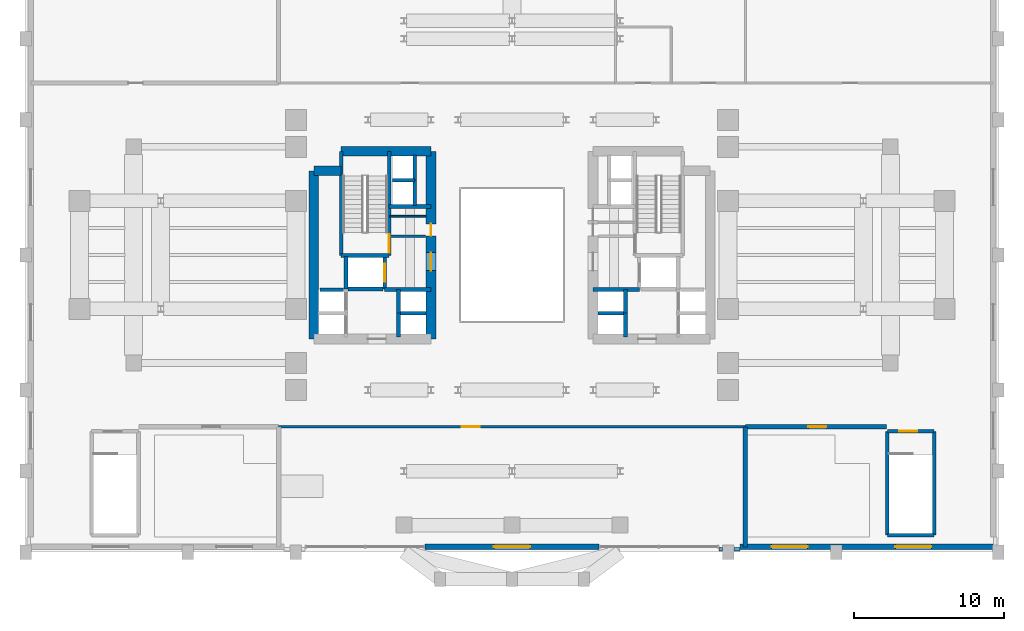
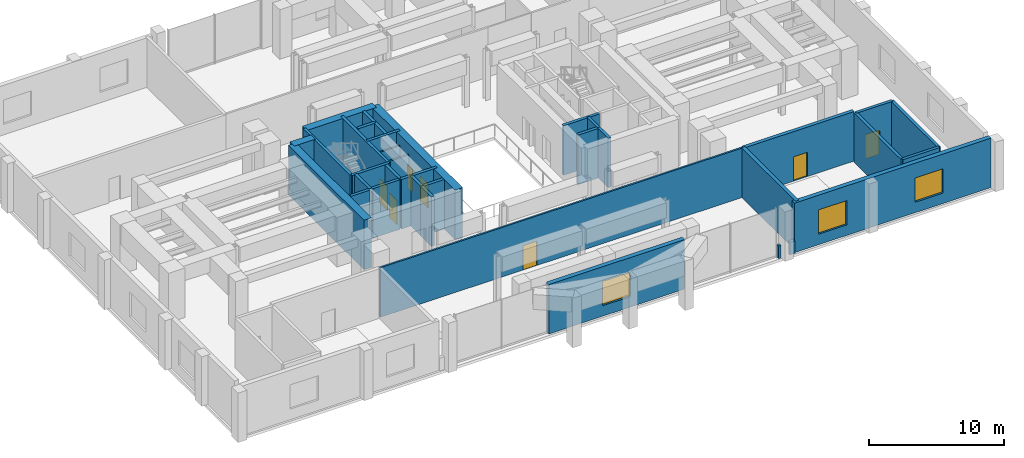
# One storey, part 9 of 13: 36 walls, 7 doors, 3 windows, 10 openings.
"""IFC4 building model written with IfcOpenShell, lengths in metres."""

from ifc_helpers import new_model, si_unit, direction, frame, frame_2d, origin, place, context, subcontext, project, spatial, rectangle, extrude, source, transform, mapped, material, layer, layer_set, type_object, element, fill, save


model = new_model("IFC4")

# Units and contexts
model_context = context("Model", 3, precision=1e-05, world=origin(), true_north=direction((0.0, 1.0)))
body_context = subcontext(model_context, "Body", "Model", "MODEL_VIEW")
ifc_project = project(units=[si_unit("LENGTHUNIT", "METRE"), si_unit("AREAUNIT", "SQUARE_METRE"), si_unit("VOLUMEUNIT", "CUBIC_METRE"), si_unit("PLANEANGLEUNIT", "RADIAN"), si_unit("MASSUNIT", "GRAM", prefix="KILO")], contexts=[model_context])

# Site, building, storey
site_placement = place(None, origin())
site = spatial("IfcSite", under=ifc_project, at=site_placement, CompositionType="ELEMENT")
building_placement = place(site_placement, origin())
building = spatial("IfcBuilding", under=site, at=building_placement, Name="Keilestroom Media Tower", CompositionType="ELEMENT")
storey_placement = place(building_placement, frame((0.0, 0.0, 20.39990234375)))
storey = spatial("IfcBuildingStorey", under=building, at=storey_placement, Name="L04", CompositionType="ELEMENT", Elevation=20.39990234375)

# Wall, opening, door
ifc_material_1 = material(Name="Concrete C45/55", Category="concrete")
ifc_layer_1 = layer(ifc_material_1, 0.300048828125)
ifc_layer_set_1 = layer_set([ifc_layer_1], Name="Concrete C45/55")
wall_type_1 = type_object("IfcWallType", Name="Acoustic-Studio-Isolation-Wall-300", PredefinedType="SOLIDWALL", material=ifc_layer_set_1)
wall_1_placement = place(storey_placement, frame((15.550048828125, -11.449951171875, 0.0), z_axis=(0.0, 0.0, 1.0), x_axis=(1.0, 0.0, 0.0)))
wall_1 = element("IfcWall", 1, at=wall_1_placement, inside=storey, type_object=wall_type_1, Name="L04 Interior Wall WP-L04-STD-SE-N", PredefinedType="SOLIDWALL", context=body_context, shape_type="SweptSolid", body=[
    extrude(rectangle(XDim=9.409912109375, YDim=0.300048828125, at=frame_2d((4.705078125, 0.0))), origin(), (0.0, 0.0, 1.0), 4.47998046875),
])
opening_1_placement = place(wall_1_placement, frame((4.199951171875, 0.0, 0.0)))
opening_1 = element("IfcOpeningElement", 2, at=opening_1_placement, cuts=wall_1, Name="Opening DI-02", PredefinedType="OPENING", context=body_context, shape_type="SweptSolid", body=[
    extrude(rectangle(XDim=1.199951171875, YDim=2.199951171875, at=frame_2d((0.60009765625, 1.10009765625))), frame((0.0, 0.16015625, 0.0), z_axis=(0.0, -1.0, 0.0), x_axis=(1.0, 0.0, 0.0)), (0.0, 0.0, 1.0), 0.320068359375),
])
ifc_material_2 = material(Name="Powder-Coated Steel Fire Leaf", Category="steel")
door_type_1 = type_object("IfcDoorType", Name="Interior-Compartment-Fire-Door-DI-02", OperationType="NOTDEFINED", PredefinedType="DOOR", material=ifc_material_2)
shared_shape_1 = source(origin(), body_context, "Body", "SweptSolid", [
    extrude(rectangle(XDim=1.199951171875, YDim=2.199951171875, at=frame_2d((0.60009765625, 1.10009765625))), frame((0.0, 0.02490234375, 0.0), z_axis=(0.0, -1.0, 0.0), x_axis=(1.0, 0.0, 0.0)), (0.0, 0.0, 1.0), 0.050048828125),
])
door_1_placement = place(opening_1_placement, origin())
door_1 = element("IfcDoor", 3, at=door_1_placement, inside=storey, type_object=door_type_1, Name="L04 Interior Door DI-L04-STD-SE-D", OperationType="SINGLE_SWING_RIGHT", OverallHeight=2.199951171875, OverallWidth=1.199951171875, PredefinedType="DOOR", context=body_context, shape_type="MappedRepresentation", body=[
    mapped(shared_shape_1, transform((0.0, 0.0, 0.0), x_axis=(1.0, 0.0, 0.0), y_axis=(0.0, 1.0, 0.0), z_axis=(0.0, 0.0, 1.0), scale=1.0)),
])
fill(opening_1, door_1)

# Wall
wall_2_placement = place(storey_placement, frame((15.550048828125, -19.449951171875, 0.0), z_axis=(0.0, 0.0, 1.0), x_axis=(0.0, 1.0, 0.0)))
element("IfcWall", 4, at=wall_2_placement, inside=storey, type_object=wall_type_1, Name="L04 Interior Wall WP-L04-STD-SE-W", PredefinedType="SOLIDWALL", context=body_context, shape_type="SweptSolid", body=[
    extrude(rectangle(XDim=8.0, YDim=0.300048828125, at=frame_2d((4.0, 0.0))), origin(), (0.0, 0.0, 1.0), 4.47998046875),
])

# Wall, openings, windows
ifc_material_3 = material(Name="Precast concrete C40/50", Category="concrete")
ifc_layer_2 = layer(ifc_material_3, 0.3798828125)
ifc_layer_set_2 = layer_set([ifc_layer_2], Name="Precast concrete C40/50")
wall_type_2 = type_object("IfcWallType", Name="Exterior-Masonry-Spandrel-Wall-380", PredefinedType="SOLIDWALL", material=ifc_layer_set_2)
wall_3_placement = place(storey_placement, frame((15.199951171875, -19.449951171875, 0.0), z_axis=(0.0, 0.0, 1.0), x_axis=(1.0, 0.0, 0.0)))
wall_3 = element("IfcWall", 5, at=wall_3_placement, inside=storey, type_object=wall_type_2, Name="L04 Podium Precast Masonry Wall EWL-L04-S-E", PredefinedType="SOLIDWALL", context=body_context, shape_type="SweptSolid", body=[
    extrude(rectangle(XDim=16.85009765625, YDim=0.3798828125, at=frame_2d((8.425048828125, 0.0))), origin(), (0.0, 0.0, 1.0), 4.47998046875),
])
opening_2_placement = place(wall_3_placement, frame((2.087890625, 0.0, 0.949951171875)))
opening_2 = element("IfcOpeningElement", 6, at=opening_2_placement, cuts=wall_3, Name="Opening WN-02", PredefinedType="OPENING", context=body_context, shape_type="SweptSolid", body=[
    extrude(rectangle(XDim=2.39990234375, YDim=2.199951171875, at=frame_2d((1.199951171875, 1.10009765625))), frame((0.0, 0.199951171875, 0.0), z_axis=(0.0, -1.0, 0.0), x_axis=(1.0, 0.0, 0.0)), (0.0, 0.0, 1.0), 0.39990234375),
])
opening_3_placement = place(wall_3_placement, frame((10.337890625, 0.0, 0.949951171875)))
opening_3 = element("IfcOpeningElement", 7, at=opening_3_placement, cuts=wall_3, Name="Opening WN-02", PredefinedType="OPENING", context=body_context, shape_type="SweptSolid", body=[
    extrude(rectangle(XDim=2.39990234375, YDim=2.199951171875, at=frame_2d((1.199951171875, 1.10009765625))), frame((0.0, 0.199951171875, 0.0), z_axis=(0.0, -1.0, 0.0), x_axis=(1.0, 0.0, 0.0)), (0.0, 0.0, 1.0), 0.39990234375),
])
ifc_material_4 = material(Name="Triple Glazed Low-E Window Unit", Category="glass")
window_type = type_object("IfcWindowType", Name="Recessed-Punched-Window-WN-02", PartitioningType="DOUBLE_PANEL_VERTICAL", PredefinedType="WINDOW", material=ifc_material_4)
shared_shape_2 = source(origin(), body_context, "Body", "SweptSolid", [
    extrude(rectangle(XDim=2.39990234375, YDim=2.199951171875, at=frame_2d((1.199951171875, 1.10009765625))), frame((0.0, 0.030029296875, 0.0), z_axis=(0.0, -1.0, 0.0), x_axis=(1.0, 0.0, 0.0)), (0.0, 0.0, 1.0), 0.06005859375),
])
window_1_placement = place(opening_2_placement, origin())
window_1 = element("IfcWindow", 8, at=window_1_placement, inside=storey, type_object=window_type, Name="L04 Window WN-02 EWL-L04-S-E-1", OverallHeight=2.199951171875, OverallWidth=2.39990234375, PartitioningType="SINGLE_PANEL", PredefinedType="WINDOW", context=body_context, shape_type="MappedRepresentation", body=[
    mapped(shared_shape_2, transform((0.0, 0.0, 0.0), x_axis=(1.0, 0.0, 0.0), y_axis=(0.0, 1.0, 0.0), z_axis=(0.0, 0.0, 1.0), scale=1.0)),
])
fill(opening_2, window_1)
window_2_placement = place(opening_3_placement, origin())
window_2 = element("IfcWindow", 9, at=window_2_placement, inside=storey, type_object=window_type, Name="L04 Window WN-02 EWL-L04-S-E-2", OverallHeight=2.199951171875, OverallWidth=2.39990234375, PartitioningType="SINGLE_PANEL", PredefinedType="WINDOW", context=body_context, shape_type="MappedRepresentation", body=[
    mapped(shared_shape_2, transform((0.0, 0.0, 0.0), x_axis=(1.0, 0.0, 0.0), y_axis=(0.0, 1.0, 0.0), z_axis=(0.0, 0.0, 1.0), scale=1.0)),
])
fill(opening_3, window_2)

# Wall, opening, window
wall_4_placement = place(storey_placement, frame((-5.804931640625, -19.449951171875, 0.0), z_axis=(0.0, 0.0, 1.0), x_axis=(1.0, 0.0, 0.0)))
wall_4 = element("IfcWall", 10, at=wall_4_placement, inside=storey, type_object=wall_type_2, Name="L04 Podium Precast Masonry Wall EWL-L04-S-C-1", PredefinedType="SOLIDWALL", context=body_context, shape_type="SweptSolid", body=[
    extrude(rectangle(XDim=11.60986328125, YDim=0.3798828125, at=frame_2d((5.804931640625, 0.0))), origin(), (0.0, 0.0, 1.0), 4.47998046875),
])
opening_4_placement = place(wall_4_placement, frame((4.60498046875, 0.0, 0.949951171875)))
opening_4 = element("IfcOpeningElement", 11, at=opening_4_placement, cuts=wall_4, Name="Opening WN-02", PredefinedType="OPENING", context=body_context, shape_type="SweptSolid", body=[
    extrude(rectangle(XDim=2.39990234375, YDim=2.199951171875, at=frame_2d((1.199951171875, 1.10009765625))), frame((0.0, 0.199951171875, 0.0), z_axis=(0.0, -1.0, 0.0), x_axis=(1.0, 0.0, 0.0)), (0.0, 0.0, 1.0), 0.39990234375),
])
window_3_placement = place(opening_4_placement, origin())
window_3 = element("IfcWindow", 12, at=window_3_placement, inside=storey, type_object=window_type, Name="L04 Window WN-02 EWL-L04-S-C-1-1", OverallHeight=2.199951171875, OverallWidth=2.39990234375, PartitioningType="SINGLE_PANEL", PredefinedType="WINDOW", context=body_context, shape_type="MappedRepresentation", body=[
    mapped(shared_shape_2, transform((0.0, 0.0, 0.0), x_axis=(1.0, 0.0, 0.0), y_axis=(0.0, 1.0, 0.0), z_axis=(0.0, 0.0, 1.0), scale=1.0)),
])
fill(opening_4, window_3)

# Walls
ifc_material_5 = material(Name="Gypsum Plasterboard & Steel Stud", Category="steel")
ifc_layer_3 = layer(ifc_material_5, 0.1201171875)
ifc_layer_set_3 = layer_set([ifc_layer_3], Name="Gypsum Plasterboard & Steel Stud")
wall_type_3 = type_object("IfcWallType", Name="Interior-Partition-Wall-120", PredefinedType="PARTITIONING", material=ifc_layer_set_3)
wall_5_placement = place(storey_placement, frame((-8.139892578125, 2.580078125, 0.0), z_axis=(0.0, 0.0, 1.0), x_axis=(1.0, 0.0, 0.0)))
element("IfcWall", 13, at=wall_5_placement, inside=storey, type_object=wall_type_3, Name="L04 Interior Wall WP-L04-CNW-N", PredefinedType="PARTITIONING", context=body_context, shape_type="SweptSolid", body=[
    extrude(rectangle(XDim=2.389892578125, YDim=0.1201171875, at=frame_2d((1.19482421875, 0.0))), origin(), (0.0, 0.0, 1.0), 3.580078125),
])
ifc_layer_4 = layer(ifc_material_5, 0.14990234375)
ifc_layer_set_4 = layer_set([ifc_layer_4], Name="Gypsum Plasterboard & Steel Stud")
wall_type_4 = type_object("IfcWallType", Name="Interior-Partition-Wall-150", PredefinedType="PARTITIONING", material=ifc_layer_set_4)
wall_6_placement = place(storey_placement, frame((-8.139892578125, 1.239990234375, 0.0), z_axis=(0.0, 0.0, 1.0), x_axis=(1.0, 0.0, 0.0)))
element("IfcWall", 14, at=wall_6_placement, inside=storey, type_object=wall_type_4, Name="L04 Interior Wall WP-L04-FFW-TOP", PredefinedType="PARTITIONING", context=body_context, shape_type="SweptSolid", body=[
    extrude(rectangle(XDim=2.389892578125, YDim=0.14990234375, at=frame_2d((1.19482421875, 0.0))), origin(), (0.0, 0.0, 1.0), 3.580078125),
])

# Wall, opening, door
wall_7_placement = place(storey_placement, frame((-15.550048828125, -11.449951171875, 0.0), z_axis=(0.0, 0.0, 1.0), x_axis=(1.0, 0.0, 0.0)))
wall_7 = element("IfcWall", 15, at=wall_7_placement, inside=storey, type_object=wall_type_4, Name="L04 Interior Wall WP-L04-ARCH-S-N", PredefinedType="PARTITIONING", context=body_context, shape_type="SweptSolid", body=[
    extrude(rectangle(XDim=31.10009765625, YDim=0.14990234375, at=frame_2d((15.550048828125, 0.0))), origin(), (0.0, 0.0, 1.0), 4.47998046875),
])
opening_5_placement = place(wall_7_placement, frame((12.199951171875, 0.0, 0.0)))
opening_5 = element("IfcOpeningElement", 16, at=opening_5_placement, cuts=wall_7, Name="Opening DI-02", PredefinedType="OPENING", context=body_context, shape_type="SweptSolid", body=[
    extrude(rectangle(XDim=1.199951171875, YDim=2.199951171875, at=frame_2d((0.60009765625, 1.10009765625))), frame((0.0, 0.0849609375, 0.0), z_axis=(0.0, -1.0, 0.0), x_axis=(1.0, 0.0, 0.0)), (0.0, 0.0, 1.0), 0.169921875),
])
door_2_placement = place(opening_5_placement, origin())
door_2 = element("IfcDoor", 17, at=door_2_placement, inside=storey, type_object=door_type_1, Name="L04 Interior Door DI-L04-ARCH-S-D", OperationType="SINGLE_SWING_LEFT", OverallHeight=2.199951171875, OverallWidth=1.199951171875, PredefinedType="DOOR", context=body_context, shape_type="MappedRepresentation", body=[
    mapped(shared_shape_1, transform((0.0, 0.0, 0.0), x_axis=(1.0, 0.0, 0.0), y_axis=(0.0, 1.0, 0.0), z_axis=(0.0, 0.0, 1.0), scale=1.0)),
])
fill(opening_5, door_2)

# Wall
ifc_material_6 = material(Name="Concrete C70/85", Category="concrete")
ifc_layer_5 = layer(ifc_material_6, 0.64990234375)
ifc_layer_set_5 = layer_set([ifc_layer_5], Name="Concrete C70/85")
wall_type_5 = type_object("IfcWallType", Name="Reinforced-Concrete-Core-Shear-Wall-650", PredefinedType="SHEAR", material=ifc_layer_set_5)
wall_8_placement = place(storey_placement, frame((-13.199951171875, -5.60009765625, 0.0), z_axis=(0.0, 0.0, 1.0), x_axis=(0.0, 1.0, 0.0)))
element("IfcWall", 18, at=wall_8_placement, inside=storey, type_object=wall_type_5, Name="L04 Core Shear Wall WL-L04-CORE-W-OUT", PredefinedType="SHEAR", context=body_context, shape_type="SweptSolid", body=[
    extrude(rectangle(XDim=11.2001953125, YDim=0.64990234375, at=frame_2d((5.60009765625, 0.0))), origin(), (0.0, 0.0, 1.0), 4.47998046875),
])

# Wall, openings, doors
wall_9_placement = place(storey_placement, frame((-5.39990234375, -5.60009765625, 0.0), z_axis=(0.0, 0.0, 1.0), x_axis=(0.0, 1.0, 0.0)))
wall_9 = element("IfcWall", 19, at=wall_9_placement, inside=storey, type_object=wall_type_5, Name="L04 Core Shear Wall WL-L04-CORE-W-IN", PredefinedType="SHEAR", context=body_context, shape_type="SweptSolid", body=[
    extrude(rectangle(XDim=12.5, YDim=0.64990234375, at=frame_2d((6.25, 0.0))), origin(), (0.0, 0.0, 1.0), 4.47998046875),
])
opening_6_placement = place(wall_9_placement, frame((4.550048828125, 0.0, 0.0)))
opening_6 = element("IfcOpeningElement", 20, at=opening_6_placement, cuts=wall_9, Name="Opening DI-02", PredefinedType="OPENING", context=body_context, shape_type="SweptSolid", body=[
    extrude(rectangle(XDim=1.199951171875, YDim=2.199951171875, at=frame_2d((0.60009765625, 1.10009765625))), frame((0.0, 0.3349609375, 0.0), z_axis=(0.0, -1.0, 0.0), x_axis=(1.0, 0.0, 0.0)), (0.0, 0.0, 1.0), 0.669921875),
])
opening_7_placement = place(wall_9_placement, frame((6.860107421875, 0.0, 0.0)))
opening_7 = element("IfcOpeningElement", 21, at=opening_7_placement, cuts=wall_9, Name="Opening DI-06", PredefinedType="OPENING", context=body_context, shape_type="SweptSolid", body=[
    extrude(rectangle(XDim=0.800048828125, YDim=2.10009765625, at=frame_2d((0.39990234375, 1.050048828125))), frame((0.0, 0.3349609375, 0.0), z_axis=(0.0, -1.0, 0.0), x_axis=(1.0, 0.0, 0.0)), (0.0, 0.0, 1.0), 0.669921875),
])
door_3_placement = place(opening_6_placement, origin())
door_3 = element("IfcDoor", 22, at=door_3_placement, inside=storey, type_object=door_type_1, Name="L04 W Firefighting Lobby Door", OperationType="SINGLE_SWING_RIGHT", OverallHeight=2.199951171875, OverallWidth=1.199951171875, PredefinedType="DOOR", context=body_context, shape_type="MappedRepresentation", body=[
    mapped(shared_shape_1, transform((0.0, 0.0, 0.0), x_axis=(1.0, 0.0, 0.0), y_axis=(0.0, 1.0, 0.0), z_axis=(0.0, 0.0, 1.0), scale=1.0)),
])
fill(opening_6, door_3)
ifc_material_7 = material(Name="Powder-Coated Steel Service Leaf", Category="steel")
door_type_2 = type_object("IfcDoorType", Name="Interior-Riser-Access-Door-DI-06", OperationType="NOTDEFINED", PredefinedType="DOOR", material=ifc_material_7)
shared_shape_3 = source(origin(), body_context, "Body", "SweptSolid", [
    extrude(rectangle(XDim=0.800048828125, YDim=2.10009765625, at=frame_2d((0.39990234375, 1.050048828125))), frame((0.0, 0.02490234375, 0.0), z_axis=(0.0, -1.0, 0.0), x_axis=(1.0, 0.0, 0.0)), (0.0, 0.0, 1.0), 0.050048828125),
])
door_4_placement = place(opening_7_placement, origin())
door_4 = element("IfcDoor", 23, at=door_4_placement, inside=storey, type_object=door_type_2, Name="L04 West Core Switchroom Door", OperationType="SINGLE_SWING_LEFT", OverallHeight=2.10009765625, OverallWidth=0.800048828125, PredefinedType="DOOR", context=body_context, shape_type="MappedRepresentation", body=[
    mapped(shared_shape_3, transform((0.0, 0.0, 0.0), x_axis=(1.0, 0.0, 0.0), y_axis=(0.0, 1.0, 0.0), z_axis=(0.0, 0.0, 1.0), scale=1.0)),
])
fill(opening_7, door_4)

# Walls
wall_10_placement = place(storey_placement, frame((-11.381103515625, 6.89990234375, 0.0), z_axis=(0.0, 0.0, 1.0), x_axis=(1.0, 0.0, 0.0)))
element("IfcWall", 24, at=wall_10_placement, inside=storey, type_object=wall_type_5, Name="L04 Core Shear Wall WL-L04-CORE-W-N", PredefinedType="SHEAR", context=body_context, shape_type="SweptSolid", body=[
    extrude(rectangle(XDim=5.981201171875, YDim=0.64990234375, at=frame_2d((2.99072265625, 0.0))), origin(), (0.0, 0.0, 1.0), 4.47998046875),
])
wall_11_placement = place(storey_placement, frame((-13.199951171875, 5.60009765625, 0.0), z_axis=(0.0, 0.0, 1.0), x_axis=(1.0, 0.0, 0.0)))
element("IfcWall", 25, at=wall_11_placement, inside=storey, type_object=wall_type_5, Name="L04 Core Shear Wall WL-L04-CNW-N", PredefinedType="SHEAR", context=body_context, shape_type="SweptSolid", body=[
    extrude(rectangle(XDim=1.81884765625, YDim=0.64990234375, at=frame_2d((0.909423828125, 0.0))), origin(), (0.0, 0.0, 1.0), 4.47998046875),
])
ifc_material_8 = material(Name="Concrete C50/60", Category="concrete")
ifc_layer_6 = layer(ifc_material_8, 0.25)
ifc_layer_set_6 = layer_set([ifc_layer_6], Name="Concrete C50/60")
wall_type_6 = type_object("IfcWallType", Name="Reinforced-Concrete-Shaft-Wall-250", PredefinedType="SOLIDWALL", material=ifc_layer_set_6)
wall_12_placement = place(storey_placement, frame((-8.179931640625, 3.219970703125, 0.0), z_axis=(0.0, 0.0, 1.0), x_axis=(1.0, 0.0, 0.0)))
element("IfcWall", 26, at=wall_12_placement, inside=storey, type_object=wall_type_6, Name="L04 Core Shear Wall WL-L04-CORE-W-FFN", PredefinedType="SOLIDWALL", context=body_context, shape_type="SweptSolid", body=[
    extrude(rectangle(XDim=2.780029296875, YDim=0.25, at=frame_2d((1.39013671875, 0.0))), origin(), (0.0, 0.0, 1.0), 4.47998046875),
])
wall_13_placement = place(storey_placement, frame((-8.47998046875, -2.300048828125, 0.0), z_axis=(0.0, 0.0, 1.0), x_axis=(1.0, 0.0, 0.0)))
element("IfcWall", 27, at=wall_13_placement, inside=storey, type_object=wall_type_6, Name="L04 Core Shear Wall WL-L04-CORE-W-FFS", PredefinedType="SOLIDWALL", context=body_context, shape_type="SweptSolid", body=[
    extrude(rectangle(XDim=3.080078125, YDim=0.25, at=frame_2d((1.5400390625, 0.0))), origin(), (0.0, 0.0, 1.0), 4.47998046875),
])

# Wall, opening, door
wall_14_placement = place(storey_placement, frame((-8.178955078125, -0.041015625, 0.0), z_axis=(0.0, 0.0, 1.0), x_axis=(0.0, 1.0, 0.0)))
wall_14 = element("IfcWall", 28, at=wall_14_placement, inside=storey, type_object=wall_type_6, Name="L04 Core Shear Wall WL-L04-STW-W-NEAR", PredefinedType="SOLIDWALL", context=body_context, shape_type="SweptSolid", body=[
    extrude(rectangle(XDim=6.94091796875, YDim=0.25, at=frame_2d((3.470458984375, 0.0))), origin(), (0.0, 0.0, 1.0), 4.47998046875),
])
opening_8_placement = place(wall_14_placement, frame((0.199951171875, 0.0, 0.0)))
opening_8 = element("IfcOpeningElement", 29, at=opening_8_placement, cuts=wall_14, Name="Opening DI-01S", PredefinedType="OPENING", context=body_context, shape_type="SweptSolid", body=[
    extrude(rectangle(XDim=1.199951171875, YDim=2.199951171875, at=frame_2d((0.60009765625, 1.10009765625))), frame((0.0, 0.135009765625, 0.0), z_axis=(0.0, -1.0, 0.0), x_axis=(1.0, 0.0, 0.0)), (0.0, 0.0, 1.0), 0.27001953125),
])
door_type_3 = type_object("IfcDoorType", Name="Interior-Stair-And-Core-Fire-Door-DI-01", OperationType="NOTDEFINED", PredefinedType="DOOR", material=ifc_material_2)
door_5_placement = place(opening_8_placement, origin())
door_5 = element("IfcDoor", 30, at=door_5_placement, inside=storey, type_object=door_type_3, Name="L04 Escape Stair ST-1 Fire Door", OperationType="SINGLE_SWING_LEFT", OverallHeight=2.199951171875, OverallWidth=1.199951171875, PredefinedType="DOOR", context=body_context, shape_type="MappedRepresentation", body=[
    mapped(shared_shape_1, transform((0.0, 0.0, 0.0), x_axis=(1.0, 0.0, 0.0), y_axis=(0.0, 1.0, 0.0), z_axis=(0.0, 0.0, 1.0), scale=1.0)),
])
fill(opening_8, door_5)

# Walls
wall_15_placement = place(storey_placement, frame((-11.381103515625, -0.041015625, 0.0), z_axis=(0.0, 0.0, 1.0), x_axis=(0.0, 1.0, 0.0)))
element("IfcWall", 31, at=wall_15_placement, inside=storey, type_object=wall_type_6, Name="L04 Core Shear Wall WL-L04-STW-W-FAR", PredefinedType="SOLIDWALL", context=body_context, shape_type="SweptSolid", body=[
    extrude(rectangle(XDim=6.94091796875, YDim=0.25, at=frame_2d((3.470458984375, 0.0))), origin(), (0.0, 0.0, 1.0), 4.47998046875),
])
wall_16_placement = place(storey_placement, frame((-11.381103515625, -0.041015625, 0.0), z_axis=(0.0, 0.0, 1.0), x_axis=(1.0, 0.0, 0.0)))
element("IfcWall", 32, at=wall_16_placement, inside=storey, type_object=wall_type_6, Name="L04 Core Shear Wall WL-L04-STW-W-S", PredefinedType="SOLIDWALL", context=body_context, shape_type="SweptSolid", body=[
    extrude(rectangle(XDim=3.2021484375, YDim=0.25, at=frame_2d((1.60107421875, 0.0))), origin(), (0.0, 0.0, 1.0), 4.47998046875),
])
wall_17_placement = place(storey_placement, frame((5.39990234375, -2.300048828125, 0.0), z_axis=(0.0, 0.0, 1.0), x_axis=(1.0, 0.0, 0.0)))
element("IfcWall", 33, at=wall_17_placement, inside=storey, type_object=wall_type_6, Name="L04 Core Shear Wall WL-L04-CORE-E-FFS", PredefinedType="SOLIDWALL", context=body_context, shape_type="SweptSolid", body=[
    extrude(rectangle(XDim=3.080078125, YDim=0.25, at=frame_2d((1.5400390625, 0.0))), origin(), (0.0, 0.0, 1.0), 4.47998046875),
])
for number, where, z_axis, x_axis, name in (
    (34, (24.9990234375, -18.6708984375, 0.0), (0.0, 0.0, 1.0), (0.0, 1.0, 0.0), "L04 Core Shear Wall WL-L04-ST-4-W"),
    (35, (28.12109375, -18.6708984375, 0.0), (0.0, 0.0, 1.0), (0.0, 1.0, 0.0), "L04 Core Shear Wall WL-L04-ST-4-E"),
):
    element("IfcWall", number, at=place(storey_placement, frame(where, z_axis=z_axis, x_axis=x_axis)), inside=storey, type_object=wall_type_6, Name=name, PredefinedType="SOLIDWALL", context=body_context, shape_type="SweptSolid", body=[
        extrude(rectangle(XDim=6.921875, YDim=0.25, at=frame_2d((3.4609375, 0.0))), origin(), (0.0, 0.0, 1.0), 4.47998046875),
    ])
wall_18_placement = place(storey_placement, frame((24.9990234375, -18.6708984375, 0.0), z_axis=(0.0, 0.0, 1.0), x_axis=(1.0, 0.0, 0.0)))
element("IfcWall", 36, at=wall_18_placement, inside=storey, type_object=wall_type_6, Name="L04 Core Shear Wall WL-L04-ST-4-S", PredefinedType="SOLIDWALL", context=body_context, shape_type="SweptSolid", body=[
    extrude(rectangle(XDim=3.1220703125, YDim=0.25, at=frame_2d((1.56103515625, 0.0))), origin(), (0.0, 0.0, 1.0), 4.47998046875),
])

# Wall, opening, door
wall_19_placement = place(storey_placement, frame((24.9990234375, -11.7490234375, 0.0), z_axis=(0.0, 0.0, 1.0), x_axis=(1.0, 0.0, 0.0)))
wall_19 = element("IfcWall", 37, at=wall_19_placement, inside=storey, type_object=wall_type_6, Name="L04 Core Shear Wall WL-L04-ST-4-N", PredefinedType="SOLIDWALL", context=body_context, shape_type="SweptSolid", body=[
    extrude(rectangle(XDim=3.1220703125, YDim=0.25, at=frame_2d((1.56103515625, 0.0))), origin(), (0.0, 0.0, 1.0), 4.47998046875),
])
opening_9_placement = place(wall_19_placement, frame((0.800048828125, 0.0, 0.0)))
opening_9 = element("IfcOpeningElement", 38, at=opening_9_placement, cuts=wall_19, Name="Opening DI-01S", PredefinedType="OPENING", context=body_context, shape_type="SweptSolid", body=[
    extrude(rectangle(XDim=1.199951171875, YDim=2.199951171875, at=frame_2d((0.60009765625, 1.10009765625))), frame((0.0, 0.135009765625, 0.0), z_axis=(0.0, -1.0, 0.0), x_axis=(1.0, 0.0, 0.0)), (0.0, 0.0, 1.0), 0.27001953125),
])
door_6_placement = place(opening_9_placement, origin())
door_6 = element("IfcDoor", 39, at=door_6_placement, inside=storey, type_object=door_type_3, Name="L04 Podium Stair ST-4 Fire Door", OperationType="SINGLE_SWING_LEFT", OverallHeight=2.199951171875, OverallWidth=1.199951171875, PredefinedType="DOOR", context=body_context, shape_type="MappedRepresentation", body=[
    mapped(shared_shape_1, transform((0.0, 0.0, 0.0), x_axis=(1.0, 0.0, 0.0), y_axis=(0.0, 1.0, 0.0), z_axis=(0.0, 0.0, 1.0), scale=1.0)),
])
fill(opening_9, door_6)

# Wall
wall_20_placement = place(storey_placement, frame((-11.050048828125, -2.280029296875, 0.0), z_axis=(0.0, 0.0, 1.0), x_axis=(0.0, 1.0, 0.0)))
element("IfcWall", 40, at=wall_20_placement, inside=storey, type_object=wall_type_6, Name="L04 Core Shear Wall WL-L04-LSH-FFL-1-W", PredefinedType="SOLIDWALL", context=body_context, shape_type="SweptSolid", body=[
    extrude(rectangle(XDim=2.179931640625, YDim=0.25, at=frame_2d((1.08984375, 0.0))), origin(), (0.0, 0.0, 1.0), 4.47998046875),
])

# Wall, opening, door
wall_21_placement = place(storey_placement, frame((-8.47998046875, -2.280029296875, 0.0), z_axis=(0.0, 0.0, 1.0), x_axis=(0.0, 1.0, 0.0)))
wall_21 = element("IfcWall", 41, at=wall_21_placement, inside=storey, type_object=wall_type_6, Name="L04 Core Shear Wall WL-L04-LSH-FFL-1-E", PredefinedType="SOLIDWALL", context=body_context, shape_type="SweptSolid", body=[
    extrude(rectangle(XDim=2.179931640625, YDim=0.25, at=frame_2d((1.08984375, 0.0))), origin(), (0.0, 0.0, 1.0), 4.47998046875),
])
opening_10_placement = place(wall_21_placement, frame((0.489990234375, 0.0, 0.0)))
opening_10 = element("IfcOpeningElement", 42, at=opening_10_placement, cuts=wall_21, Name="Opening LD-02", PredefinedType="OPENING", context=body_context, shape_type="SweptSolid", body=[
    extrude(rectangle(XDim=1.199951171875, YDim=2.199951171875, at=frame_2d((0.60009765625, 1.10009765625))), frame((0.0, 0.135009765625, 0.0), z_axis=(0.0, -1.0, 0.0), x_axis=(1.0, 0.0, 0.0)), (0.0, 0.0, 1.0), 0.27001953125),
])
ifc_material_9 = material(Name="Brushed Stainless Steel Sliding Leaf", Category="steel")
door_type_4 = type_object("IfcDoorType", Name="Lift-Landing-Sliding-Door-LD-02", OperationType="SLIDING_TO_RIGHT", PredefinedType="DOOR", material=ifc_material_9)
door_7_placement = place(opening_10_placement, origin())
door_7 = element("IfcDoor", 43, at=door_7_placement, inside=storey, type_object=door_type_4, Name="L04 Lift FFL-1 Landing Sliding Door", OperationType="SLIDING_TO_RIGHT", OverallHeight=2.199951171875, OverallWidth=1.199951171875, PredefinedType="DOOR", context=body_context, shape_type="MappedRepresentation", body=[
    mapped(shared_shape_1, transform((0.0, 0.0, 0.0), x_axis=(1.0, 0.0, 0.0), y_axis=(0.0, 1.0, 0.0), z_axis=(0.0, 0.0, 1.0), scale=1.0)),
])
fill(opening_10, door_7)

# Walls
wall_22_placement = place(storey_placement, frame((-10.9208984375, -2.280029296875, 0.0), z_axis=(0.0, 0.0, 1.0), x_axis=(1.0, 0.0, 0.0)))
element("IfcWall", 44, at=wall_22_placement, inside=storey, type_object=wall_type_6, Name="L04 Core Shear Wall WL-L04-LSH-FFL-1-S", PredefinedType="SOLIDWALL", context=body_context, shape_type="SweptSolid", body=[
    extrude(rectangle(XDim=2.31201171875, YDim=0.25, at=frame_2d((1.156005859375, 0.0))), origin(), (0.0, 0.0, 1.0), 4.47998046875),
])
wall_23_placement = place(storey_placement, frame((-12.791015625, -2.320068359375, 0.0), z_axis=(0.0, 0.0, 1.0), x_axis=(1.0, 0.0, 0.0)))
element("IfcWall", 45, at=wall_23_placement, inside=storey, type_object=wall_type_6, Name="L04 Core Shear Wall WL-L04-LSH-PL-L2-N", PredefinedType="SOLIDWALL", context=body_context, shape_type="SweptSolid", body=[
    extrude(rectangle(XDim=1.58203125, YDim=0.25, at=frame_2d((0.791015625, 0.0))), origin(), (0.0, 0.0, 1.0), 4.47998046875),
])
wall_24_placement = place(storey_placement, frame((-7.56005859375, -5.47998046875, 0.0), z_axis=(0.0, 0.0, 1.0), x_axis=(0.0, 1.0, 0.0)))
element("IfcWall", 46, at=wall_24_placement, inside=storey, type_object=wall_type_6, Name="L04 Core Shear Wall WL-L04-LSH-PL-M1-W", PredefinedType="SOLIDWALL", context=body_context, shape_type="SweptSolid", body=[
    extrude(rectangle(XDim=1.60009765625, YDim=0.25, at=frame_2d((0.800048828125, 0.0))), origin(), (0.0, 0.0, 1.0), 4.47998046875),
])
wall_25_placement = place(storey_placement, frame((-7.56005859375, -3.8798828125, 0.0), z_axis=(0.0, 0.0, 1.0), x_axis=(1.0, 0.0, 0.0)))
element("IfcWall", 47, at=wall_25_placement, inside=storey, type_object=wall_type_6, Name="L04 Core Shear Wall WL-L04-LSH-PL-M1-N", PredefinedType="SOLIDWALL", context=body_context, shape_type="SweptSolid", body=[
    extrude(rectangle(XDim=1.840087890625, YDim=0.25, at=frame_2d((0.919921875, 0.0))), origin(), (0.0, 0.0, 1.0), 4.47998046875),
])
wall_26_placement = place(storey_placement, frame((-7.56005859375, -3.8798828125, 0.0), z_axis=(0.0, 0.0, 1.0), x_axis=(0.0, 1.0, 0.0)))
element("IfcWall", 48, at=wall_26_placement, inside=storey, type_object=wall_type_6, Name="L04 Core Shear Wall WL-L04-LSH-PL-M2-W", PredefinedType="SOLIDWALL", context=body_context, shape_type="SweptSolid", body=[
    extrude(rectangle(XDim=1.559814453125, YDim=0.25, at=frame_2d((0.77978515625, 0.0))), origin(), (0.0, 0.0, 1.0), 4.47998046875),
])
wall_27_placement = place(storey_placement, frame((7.56005859375, -5.47998046875, 0.0), z_axis=(0.0, 0.0, 1.0), x_axis=(0.0, 1.0, 0.0)))
element("IfcWall", 49, at=wall_27_placement, inside=storey, type_object=wall_type_6, Name="L04 Core Shear Wall WL-L04-LSH-PL-M3-E", PredefinedType="SOLIDWALL", context=body_context, shape_type="SweptSolid", body=[
    extrude(rectangle(XDim=1.60009765625, YDim=0.25, at=frame_2d((0.800048828125, 0.0))), origin(), (0.0, 0.0, 1.0), 4.47998046875),
])
wall_28_placement = place(storey_placement, frame((5.719970703125, -3.8798828125, 0.0), z_axis=(0.0, 0.0, 1.0), x_axis=(1.0, 0.0, 0.0)))
element("IfcWall", 50, at=wall_28_placement, inside=storey, type_object=wall_type_6, Name="L04 Core Shear Wall WL-L04-LSH-PL-M3-N", PredefinedType="SOLIDWALL", context=body_context, shape_type="SweptSolid", body=[
    extrude(rectangle(XDim=1.840087890625, YDim=0.25, at=frame_2d((0.919921875, 0.0))), origin(), (0.0, 0.0, 1.0), 4.47998046875),
])
wall_29_placement = place(storey_placement, frame((7.56005859375, -3.8798828125, 0.0), z_axis=(0.0, 0.0, 1.0), x_axis=(0.0, 1.0, 0.0)))
element("IfcWall", 51, at=wall_29_placement, inside=storey, type_object=wall_type_6, Name="L04 Core Shear Wall WL-L04-LSH-PL-M4-E", PredefinedType="SOLIDWALL", context=body_context, shape_type="SweptSolid", body=[
    extrude(rectangle(XDim=1.559814453125, YDim=0.25, at=frame_2d((0.77978515625, 0.0))), origin(), (0.0, 0.0, 1.0), 4.47998046875),
])
wall_30_placement = place(storey_placement, frame((-6.47998046875, 3.300048828125, 0.0), z_axis=(0.0, 0.0, 1.0), x_axis=(0.0, 1.0, 0.0)))
element("IfcWall", 52, at=wall_30_placement, inside=storey, type_object=wall_type_6, Name="L04 Core Shear Wall WL-L04-LSH-PL-H1-E", PredefinedType="SOLIDWALL", context=body_context, shape_type="SweptSolid", body=[
    extrude(rectangle(XDim=1.679931640625, YDim=0.25, at=frame_2d((0.83984375, 0.0))), origin(), (0.0, 0.0, 1.0), 4.47998046875),
])
wall_31_placement = place(storey_placement, frame((-7.949951171875, 4.97998046875, 0.0), z_axis=(0.0, 0.0, 1.0), x_axis=(1.0, 0.0, 0.0)))
element("IfcWall", 53, at=wall_31_placement, inside=storey, type_object=wall_type_6, Name="L04 Core Shear Wall WL-L04-LSH-PL-H1-N", PredefinedType="SOLIDWALL", context=body_context, shape_type="SweptSolid", body=[
    extrude(rectangle(XDim=1.469970703125, YDim=0.25, at=frame_2d((0.73486328125, 0.0))), origin(), (0.0, 0.0, 1.0), 4.47998046875),
])
wall_32_placement = place(storey_placement, frame((-6.47998046875, 4.97998046875, 0.0), z_axis=(0.0, 0.0, 1.0), x_axis=(0.0, 1.0, 0.0)))
element("IfcWall", 54, at=wall_32_placement, inside=storey, type_object=wall_type_6, Name="L04 Core Shear Wall WL-L04-LSH-PL-H2-E", PredefinedType="SOLIDWALL", context=body_context, shape_type="SweptSolid", body=[
    extrude(rectangle(XDim=1.669921875, YDim=0.25, at=frame_2d((0.8349609375, 0.0))), origin(), (0.0, 0.0, 1.0), 4.47998046875),
])
ifc_layer_7 = layer(ifc_material_3, 0.239990234375)
ifc_layer_set_7 = layer_set([ifc_layer_7], Name="Precast concrete C40/50")
wall_type_7 = type_object("IfcWallType", Name="Roof-And-Terrace-Parapet-Wall-240", PredefinedType="PARAPET", material=ifc_layer_set_7)
wall_33_placement = place(storey_placement, frame((15.197021484375, -19.60009765625, 0.0), z_axis=(0.0, 0.0, 1.0), x_axis=(-1.0, 0.0, 0.0)))
element("IfcWall", 55, at=wall_33_placement, inside=storey, type_object=wall_type_7, Name="L04 Perimeter Edge Parapet Wall 08", PredefinedType="PARAPET", context=body_context, shape_type="SweptSolid", body=[
    extrude(rectangle(XDim=0.4189453125, YDim=0.239990234375, at=frame_2d((0.20947265625, 0.0))), origin(), (0.0, 0.0, 1.0), 1.150146484375),
])
wall_34_placement = place(storey_placement, frame((14.02197265625, -19.60009765625, 0.0), z_axis=(0.0, 0.0, 1.0), x_axis=(-1.0, 0.0, 0.0)))
element("IfcWall", 56, at=wall_34_placement, inside=storey, type_object=wall_type_7, Name="L04 Perimeter Edge Parapet Wall 09", PredefinedType="PARAPET", context=body_context, shape_type="SweptSolid", body=[
    extrude(rectangle(XDim=0.239013671875, YDim=0.239990234375, at=frame_2d((0.11962890625, 0.0))), origin(), (0.0, 0.0, 1.0), 1.150146484375),
])

save(model, "model.ifc")
